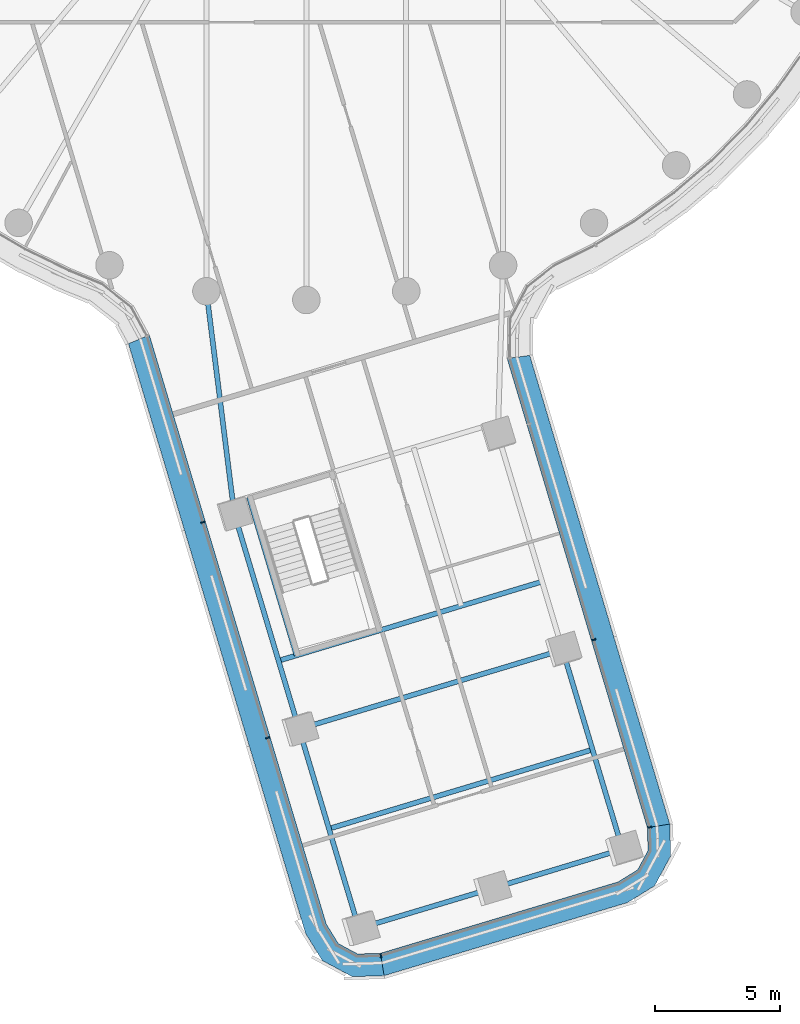
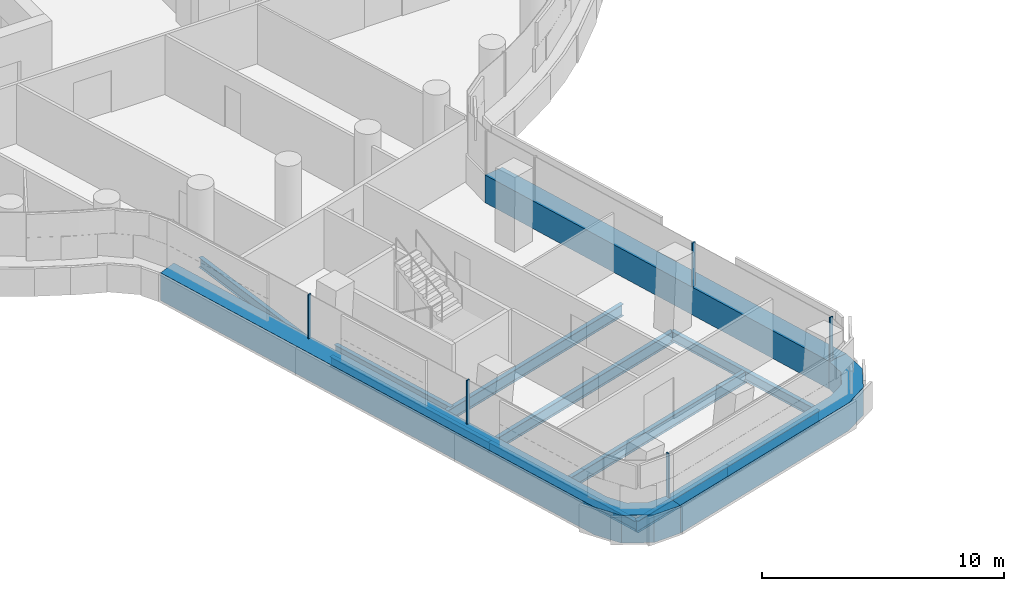
# One storey, part 2 of 32: 10 beams, 8 members, 3 elements without a shape of their own.
"""IFC4 building model written with IfcOpenShell, lengths in metres."""

from ifc_helpers import new_model, si_unit, direction, frame, origin, origin_2d, place, context, subcontext, project, spatial, polyline, rectangle, i_section, outline, extrude, material, layer, layer_set, material_profile, profile_set, type_object, element, aggregate, save


model = new_model("IFC4")

# Units and contexts
model_context = context("Model", 3, precision=1e-05, world=origin(), true_north=direction((0.0, 1.0)))
body_context = subcontext(model_context, "Body", "Model", "MODEL_VIEW")
ifc_project = project(units=[si_unit("LENGTHUNIT", "METRE"), si_unit("AREAUNIT", "SQUARE_METRE"), si_unit("VOLUMEUNIT", "CUBIC_METRE"), si_unit("PLANEANGLEUNIT", "RADIAN"), si_unit("MASSUNIT", "GRAM", prefix="KILO")], contexts=[model_context])

# Site, building, storey
site_placement = place(None, origin())
site = spatial("IfcSite", under=ifc_project, at=site_placement, CompositionType="ELEMENT")
building_placement = place(site_placement, origin())
building = spatial("IfcBuilding", under=site, at=building_placement, Name="Tamarind Cross Interchange Tower", CompositionType="ELEMENT")
storey_placement = place(building_placement, frame((0.0, 0.0, 94.75)))
storey = spatial("IfcBuildingStorey", under=building, at=storey_placement, Name="L22", CompositionType="ELEMENT", Elevation=94.75)

# Beams
ifc_material_1 = material(Name="Steel Q355B", Category="steel")
ifc_material_profile_1 = material_profile(ifc_material_1, i_section(OverallWidth=0.198974609375, OverallDepth=0.49609375, WebThickness=0.009033203125, FlangeThickness=0.013916015625, FilletRadius=0.012939453125, at=origin_2d()), Name="HN 496x199x9x14")
ifc_profile_set_1 = profile_set([ifc_material_profile_1], Name="Steel Q355B")
beam_type_1 = type_object("IfcBeamType", Name="Composite beam HN 496x199x9x14 Q355B", PredefinedType="BEAM", material=ifc_profile_set_1)
beam_1_placement = place(storey_placement, frame((2.10205078125, -48.119873046875, -0.387939453125), z_axis=(-0.287635904995, 0.957739832187, 0.0), x_axis=(-0.957739832187, -0.287635904995, 0.0)))
element("IfcBeam", 1, at=beam_1_placement, inside=storey, type_object=beam_type_1, Name="Beam S-edgeem5", PredefinedType="BEAM", context=body_context, shape_type="SweptSolid", body=[
    extrude(i_section(OverallWidth=0.198974609375, OverallDepth=0.49609375, WebThickness=0.009033203125, FlangeThickness=0.013916015625, FilletRadius=0.012939453125, at=origin_2d()), origin(), (0.0, 0.0, 1.0), 8.320556640625),
])
beam_2_placement = place(storey_placement, frame((-0.291259765625, -40.15087890625, -0.387939453125), z_axis=(-0.287651491037, 0.957735151127, 0.0), x_axis=(-0.957735151127, -0.287651491037, 0.0)))
element("IfcBeam", 2, at=beam_2_placement, inside=storey, type_object=beam_type_1, Name="Beam S-edgeem6", PredefinedType="BEAM", context=body_context, shape_type="SweptSolid", body=[
    extrude(i_section(OverallWidth=0.198974609375, OverallDepth=0.49609375, WebThickness=0.009033203125, FlangeThickness=0.013916015625, FilletRadius=0.012939453125, at=origin_2d()), origin(), (0.0, 0.0, 1.0), 9.0),
])
beam_3_placement = place(storey_placement, frame((12.63720703125, -44.955810546875, -0.387939453125), z_axis=(-0.287662818713, 0.957731748837, 0.0), x_axis=(-0.957731748837, -0.287662818713, 0.0)))
element("IfcBeam", 3, at=beam_3_placement, inside=storey, type_object=beam_type_1, Name="Beam S-edgeep2", PredefinedType="BEAM", context=body_context, shape_type="SweptSolid", body=[
    extrude(i_section(OverallWidth=0.198974609375, OverallDepth=0.49609375, WebThickness=0.009033203125, FlangeThickness=0.013916015625, FilletRadius=0.012939453125, at=origin_2d()), origin(), (0.0, 0.0, 1.0), 8.32080078125),
])
beam_4_placement = place(storey_placement, frame((-2.880126953125, -31.53125, -0.387939453125), z_axis=(-0.124440952374, 0.992227015039, 0.0), x_axis=(-0.992227015039, -0.124440952374, 0.0)))
element("IfcBeam", 4, at=beam_4_placement, inside=storey, type_object=beam_type_1, Name="Beam S-linkem", PredefinedType="BEAM", context=body_context, shape_type="SweptSolid", body=[
    extrude(i_section(OverallWidth=0.198974609375, OverallDepth=0.49609375, WebThickness=0.009033203125, FlangeThickness=0.013916015625, FilletRadius=0.012939453125, at=origin_2d()), origin(), (0.0, 0.0, 1.0), 8.9501953125),
])
beam_5_placement = place(storey_placement, frame((-2.291259765625, -30.884521484375, -0.387939453125), z_axis=(0.287643122316, -0.957737664595, 0.0), x_axis=(0.957737664595, 0.287643122316, 0.0)))
element("IfcBeam", 5, at=beam_5_placement, inside=storey, type_object=beam_type_1, Name="Beam S-tr0", PredefinedType="BEAM", context=body_context, shape_type="SweptSolid", body=[
    extrude(i_section(OverallWidth=0.198974609375, OverallDepth=0.49609375, WebThickness=0.009033203125, FlangeThickness=0.013916015625, FilletRadius=0.012939453125, at=origin_2d()), origin(), (0.0, 0.0, 1.0), 6.599853515625),
])
ifc_material_profile_2 = material_profile(ifc_material_1, i_section(OverallWidth=0.199951171875, OverallDepth=0.60009765625, WebThickness=0.010986328125, FlangeThickness=0.01708984375, FilletRadius=0.012939453125, at=origin_2d()), Name="HN 600x200x11x17")
ifc_profile_set_2 = profile_set([ifc_material_profile_2], Name="Steel Q355B")
beam_type_2 = type_object("IfcBeamType", Name="Composite beam HN 600x200x11x17 Q355B", PredefinedType="BEAM", material=ifc_profile_set_2)
for number, where, z_axis, x_axis, name in (
    (6, (2.10205078125, -48.119873046875, -0.43994140625), (0.957738276707, 0.287641084217, 0.0), (-0.287641084217, 0.957738276707, 0.0), "Beam S-tip0"),
    (7, (7.36962890625, -46.537841796875, -0.43994140625), (0.957738276707, 0.287641084217, 0.0), (-0.287641084217, 0.957738276707, 0.0), "Beam S-tip1"),
):
    element("IfcBeam", number, at=place(storey_placement, frame(where, z_axis=z_axis, x_axis=x_axis)), inside=storey, type_object=beam_type_2, Name=name, PredefinedType="BEAM", context=body_context, shape_type="SweptSolid", body=[
        extrude(i_section(OverallWidth=0.199951171875, OverallDepth=0.60009765625, WebThickness=0.010986328125, FlangeThickness=0.01708984375, FilletRadius=0.012939453125, at=origin_2d()), origin(), (0.0, 0.0, 1.0), 5.5),
    ])
beam_6_placement = place(storey_placement, frame((-1.111083984375, -37.42138671875, -0.43994140625), z_axis=(0.957738276707, 0.287641084217, 0.0), x_axis=(-0.287641084217, 0.957738276707, 0.0)))
element("IfcBeam", 8, at=beam_6_placement, inside=storey, type_object=beam_type_2, Name="Beam S-x364", PredefinedType="BEAM", context=body_context, shape_type="SweptSolid", body=[
    extrude(i_section(OverallWidth=0.199951171875, OverallDepth=0.60009765625, WebThickness=0.010986328125, FlangeThickness=0.01708984375, FilletRadius=0.012939453125, at=origin_2d()), origin(), (0.0, 0.0, 1.0), 11.0),
])
beam_7_placement = place(storey_placement, frame((-0.291259765625, -40.15087890625, -0.43994140625), z_axis=(0.957736440331, 0.287647198598, 0.0), x_axis=(-0.287647198598, 0.957736440331, 0.0)))
element("IfcBeam", 9, at=beam_7_placement, inside=storey, type_object=beam_type_2, Name="Beam S-x393", PredefinedType="BEAM", context=body_context, shape_type="SweptSolid", body=[
    extrude(i_section(OverallWidth=0.199951171875, OverallDepth=0.60009765625, WebThickness=0.010986328125, FlangeThickness=0.01708984375, FilletRadius=0.012939453125, at=origin_2d()), origin(), (0.0, 0.0, 1.0), 10.999755859375),
])
beam_8_placement = place(storey_placement, frame((0.9052734375, -44.135498046875, -0.43994140625), z_axis=(0.957738276707, 0.287641084217, 0.0), x_axis=(-0.287641084217, 0.957738276707, 0.0)))
element("IfcBeam", 10, at=beam_8_placement, inside=storey, type_object=beam_type_2, Name="Beam S-x435", PredefinedType="BEAM", context=body_context, shape_type="SweptSolid", body=[
    extrude(i_section(OverallWidth=0.199951171875, OverallDepth=0.60009765625, WebThickness=0.010986328125, FlangeThickness=0.01708984375, FilletRadius=0.012939453125, at=origin_2d()), origin(), (0.0, 0.0, 1.0), 11.0),
])

# Curtain wall, member
ifc_material_2 = material(Name="Aluminium 6063-T6", Category="aluminium")
ifc_layer = layer(ifc_material_2, 0.159912109375)
ifc_layer_set = layer_set([ifc_layer], Name="Aluminium 6063-T6")
curtain_wall_type = type_object("IfcCurtainWallType", Name="Office curtain wall, 9.0 m bays", PredefinedType="NOTDEFINED", material=ifc_layer_set)
curtain_wall_1_placement = place(storey_placement, origin())
curtain_wall_1 = element("IfcCurtainWall", 11, at=curtain_wall_1_placement, inside=storey, type_object=curtain_wall_type, Name="CWS-L22-07", PredefinedType="NOTDEFINED")
ifc_material_3 = material(Name="Aluminium and insulated spandrel panel", Category="aluminium")
member_type_1 = type_object("IfcMemberType", Name="Floor-edge blade transom", PredefinedType="USERDEFINED", material=ifc_material_3)
member_1_placement = place(storey_placement, origin())
member_1 = element("IfcMember", 12, at=member_1_placement, type_object=member_type_1, Name="CWT-L22-07", ObjectType="TRANSOM", PredefinedType="USERDEFINED", context=body_context, shape_type="SweptSolid", body=[
    extrude(outline(polyline([(-6.27490234375, -24.3994140625), (0.797607421875, -47.948486328125), (1.27880859375, -48.72705078125), (2.048828125, -49.141357421875), (2.9638671875, -49.114013671875), (3.109375, -50.010009765625), (1.834716796875, -50.04833984375), (0.639892578125, -49.4052734375), (-0.0302734375, -48.32080078125), (-7.110107421875, -24.747314453125), (-6.27490234375, -24.3994140625)])), origin(), (0.0, 0.0, 1.0), 1.39990234375),
])

curtain_wall_2_placement = place(storey_placement, origin())
curtain_wall_2 = element("IfcCurtainWall", 13, at=curtain_wall_2_placement, inside=storey, type_object=curtain_wall_type, Name="CWS-L22-08", PredefinedType="NOTDEFINED")
member_2_placement = place(storey_placement, origin())
member_2 = element("IfcMember", 14, at=member_2_placement, type_object=member_type_1, Name="CWT-L22-08", ObjectType="TRANSOM", PredefinedType="USERDEFINED", context=body_context, shape_type="SweptSolid", body=[
    extrude(outline(polyline([(2.9638671875, -49.114013671875), (12.465576171875, -46.26025390625), (13.244384765625, -45.779052734375), (13.65869140625, -45.009033203125), (13.631103515625, -44.09375), (14.52734375, -43.948974609375), (14.5654296875, -45.22314453125), (13.922607421875, -46.41796875), (12.837890625, -47.088134765625), (3.109375, -50.010009765625), (2.9638671875, -49.114013671875)])), origin(), (0.0, 0.0, 1.0), 1.39990234375),
])

curtain_wall_3_placement = place(storey_placement, origin())
curtain_wall_3 = element("IfcCurtainWall", 15, at=curtain_wall_3_placement, inside=storey, type_object=curtain_wall_type, Name="CWS-L22-09", PredefinedType="NOTDEFINED")
member_3_placement = place(storey_placement, origin())
member_3 = element("IfcMember", 16, at=member_3_placement, type_object=member_type_1, Name="CWT-L22-09", ObjectType="TRANSOM", PredefinedType="USERDEFINED", context=body_context, shape_type="SweptSolid", body=[
    extrude(outline(polyline([(13.631103515625, -44.09375), (8.027099609375, -25.339111328125), (8.928955078125, -25.2138671875), (14.52734375, -43.948974609375), (13.631103515625, -44.09375)])), origin(), (0.0, 0.0, 1.0), 1.39990234375),
])

# Member
ifc_material_profile_3 = material_profile(ifc_material_2, rectangle(XDim=0.06005859375, YDim=0.159912109375, at=origin_2d()), Name="Mullion CW1")
ifc_profile_set_3 = profile_set([ifc_material_profile_3], Name="Aluminium 6063-T6")
member_type_2 = type_object("IfcMemberType", Name="Mullion CW1", PredefinedType="MULLION", material=ifc_profile_set_3)
member_4_placement = place(storey_placement, frame((-4.131591796875, -31.883544921875, 1.39990234375), z_axis=(0.0, 0.0, 1.0), x_axis=(0.287641355717, -0.957738195167, 0.0)))
member_4 = element("IfcMember", 17, at=member_4_placement, type_object=member_type_2, Name="CWM-L22-07-01", PredefinedType="MULLION", context=body_context, shape_type="SweptSolid", body=[
    extrude(rectangle(XDim=0.06005859375, YDim=0.159912109375, at=origin_2d()), origin(), (0.0, 0.0, 1.0), 2.210205078125),
])

member_5_placement = place(storey_placement, frame((-1.54345703125, -40.50146484375, 1.39990234375), z_axis=(0.0, 0.0, 1.0), x_axis=(0.287641355717, -0.957738195167, 0.0)))
member_5 = element("IfcMember", 18, at=member_5_placement, type_object=member_type_2, Name="CWM-L22-07-02", PredefinedType="MULLION", context=body_context, shape_type="SweptSolid", body=[
    extrude(rectangle(XDim=0.06005859375, YDim=0.159912109375, at=origin_2d()), origin(), (0.0, 0.0, 1.0), 2.210205078125),
])

aggregate(curtain_wall_1, [member_4, member_5, member_1])

member_6_placement = place(storey_placement, frame((2.97998046875, -49.213623046875, 1.39990234375), z_axis=(0.0, 0.0, 1.0), x_axis=(0.987089343026, 0.160170624285, 0.0)))
member_6 = element("IfcMember", 19, at=member_6_placement, type_object=member_type_2, Name="CWM-L22-08-00", PredefinedType="MULLION", context=body_context, shape_type="SweptSolid", body=[
    extrude(rectangle(XDim=0.06005859375, YDim=0.159912109375, at=origin_2d()), origin(), (0.0, 0.0, 1.0), 2.210205078125),
])

aggregate(curtain_wall_2, [member_6, member_2])

member_7_placement = place(storey_placement, frame((13.730712890625, -44.07763671875, 1.39990234375), z_axis=(0.0, 0.0, 1.0), x_axis=(-0.15948179223, 0.987200870111, 0.0)))
member_7 = element("IfcMember", 20, at=member_7_placement, type_object=member_type_2, Name="CWM-L22-09-00", PredefinedType="MULLION", context=body_context, shape_type="SweptSolid", body=[
    extrude(rectangle(XDim=0.06005859375, YDim=0.159912109375, at=origin_2d()), origin(), (0.0, 0.0, 1.0), 2.210205078125),
])

member_8_placement = place(storey_placement, frame((11.4912109375, -36.582763671875, 1.39990234375), z_axis=(0.0, 0.0, 1.0), x_axis=(-0.286304452373, 0.958138695884, 0.0)))
member_8 = element("IfcMember", 21, at=member_8_placement, type_object=member_type_2, Name="CWM-L22-09-01", PredefinedType="MULLION", context=body_context, shape_type="SweptSolid", body=[
    extrude(rectangle(XDim=0.06005859375, YDim=0.159912109375, at=origin_2d()), origin(), (0.0, 0.0, 1.0), 2.210205078125),
])

aggregate(curtain_wall_3, [member_7, member_8, member_3])

save(model, "model.ifc")
